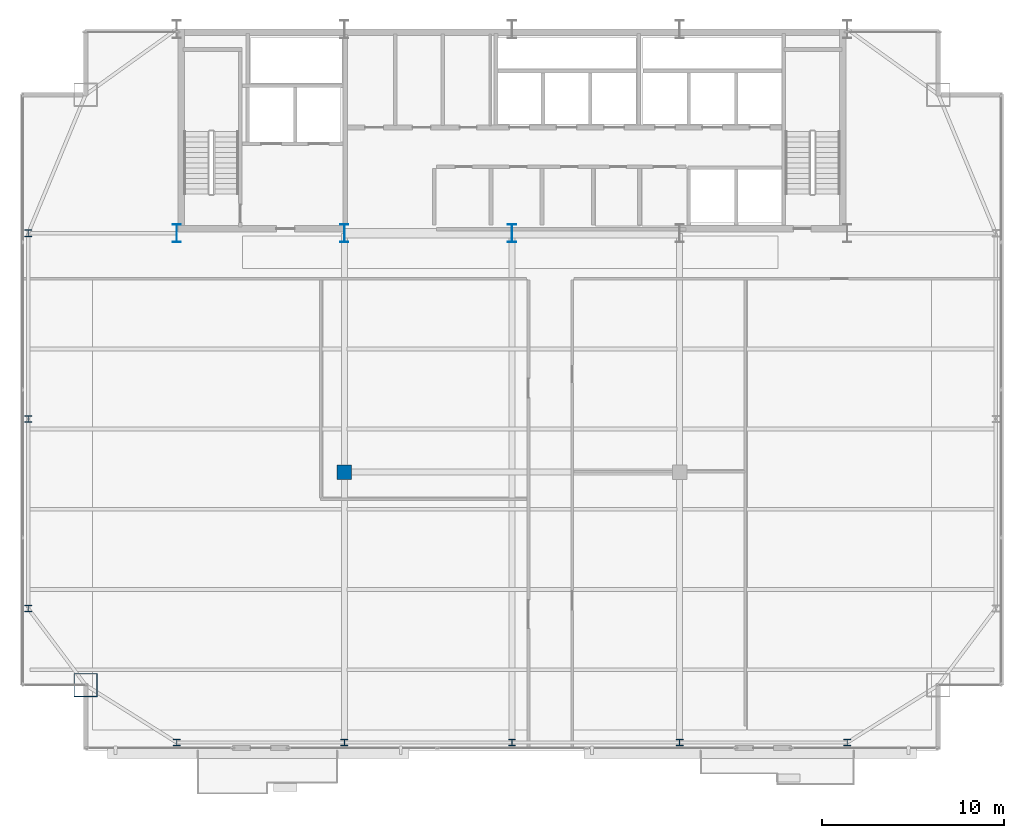
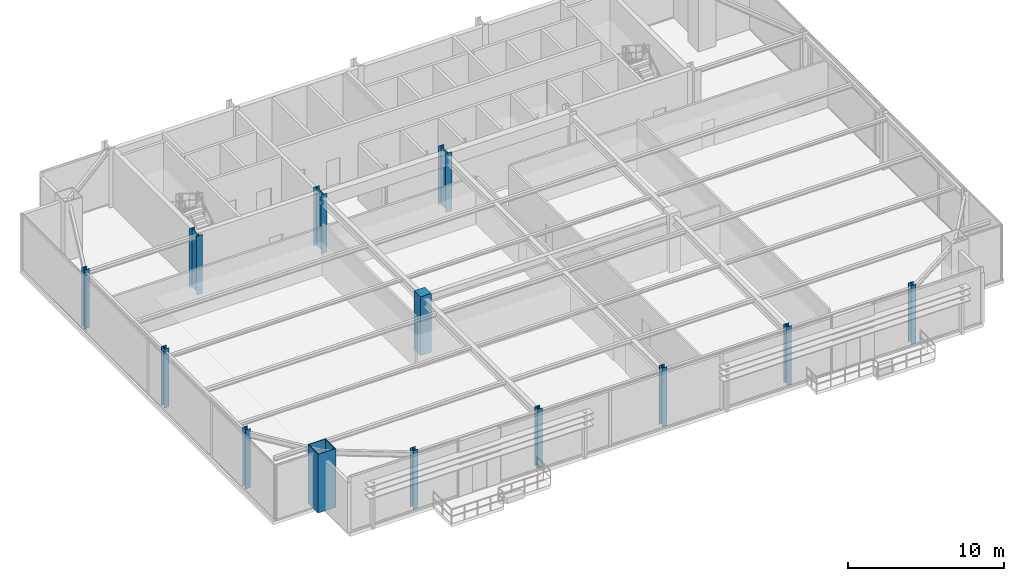
# One storey, part 1 of 25: 13 columns.
"""IFC4 building model written with IfcOpenShell, lengths in metres."""

from ifc_helpers import new_model, si_unit, direction, frame, origin, origin_2d, place, context, subcontext, project, spatial, rectangle, hollow_rectangle, i_section, extrude, source, transform, mapped, material, material_profile, profile_set, type_object, type_shapes, element, save


model = new_model("IFC4")

# Units and contexts
model_context = context("Model", 3, precision=1e-05, world=origin(), true_north=direction((0.0, 1.0)))
body_context = subcontext(model_context, "Body", "Model", "MODEL_VIEW")
ifc_project = project(units=[si_unit("LENGTHUNIT", "METRE"), si_unit("AREAUNIT", "SQUARE_METRE"), si_unit("VOLUMEUNIT", "CUBIC_METRE"), si_unit("PLANEANGLEUNIT", "RADIAN"), si_unit("MASSUNIT", "GRAM", prefix="KILO")], contexts=[model_context])

# Site, building, storey
site_placement = place(None, origin())
site = spatial("IfcSite", under=ifc_project, at=site_placement, CompositionType="ELEMENT")
building_placement = place(site_placement, origin())
building = spatial("IfcBuilding", under=site, at=building_placement, Name="Varnel Quay Broadcast Tower", CompositionType="ELEMENT")
storey_placement = place(building_placement, frame((0.0, 0.0, 191.39990234375)))
storey = spatial("IfcBuildingStorey", under=building, at=storey_placement, Name="L47", CompositionType="ELEMENT", Elevation=191.39990234375)

# Columns
ifc_material_1 = material(Name="Structural Steel CSA G40.21 350WT", Category="steel")
ifc_material_profile_1 = material_profile(ifc_material_1, i_section(OverallWidth=0.449951171875, OverallDepth=1.0, WebThickness=0.01611328125, FlangeThickness=0.030029296875, FilletRadius=0.01611328125, at=origin_2d()), Name="WWF1000X362")
ifc_profile_set_1 = profile_set([ifc_material_profile_1], Name="Structural Steel CSA G40.21 350WT")
column_type_1 = type_object("IfcColumnType", Name="Col_WWF1000X362", PredefinedType="COLUMN", material=ifc_profile_set_1)
shared_shape_1 = source(origin(), body_context, "Body", "SweptSolid", [
    extrude(i_section(OverallWidth=0.449951171875, OverallDepth=1.0, WebThickness=0.01611328125, FlangeThickness=0.030029296875, FilletRadius=0.01611328125, at=origin_2d()), origin(), (0.0, 0.0, 1.0), 4.60009765625),
])
type_shapes(column_type_1, [shared_shape_1])
for number, where, z_axis, x_axis, name in (
    (1, (15.60009765625, 35.60009765625, 0.0), (0.0, 0.0, 1.0), (1.0, 0.0, 0.0), "L47 Column CC-S1"),
    (2, (24.800048828125, 35.60009765625, 0.0), (0.0, 0.0, 1.0), (1.0, 0.0, 0.0), "L47 Column CC-S2"),
    (3, (34.0, 35.60009765625, 0.0), (0.0, 0.0, 1.0), (1.0, 0.0, 0.0), "L47 Column CC-S3"),
):
    element("IfcColumn", number, at=place(storey_placement, frame(where, z_axis=z_axis, x_axis=x_axis)), inside=storey, type_object=column_type_1, Name=name, PredefinedType="COLUMN", context=body_context, shape_type="MappedRepresentation", body=[
        mapped(shared_shape_1, transform((0.0, 0.0, 0.0), x_axis=(1.0, 0.0, 0.0), y_axis=(0.0, 1.0, 0.0), z_axis=(0.0, 0.0, 1.0), scale=1.0)),
    ])
ifc_material_profile_2 = material_profile(ifc_material_1, hollow_rectangle(XDim=1.300048828125, YDim=1.300048828125, WallThickness=0.050048828125, at=origin_2d()), Name="BOX1300X1300X50")
ifc_profile_set_2 = profile_set([ifc_material_profile_2], Name="Structural Steel CSA G40.21 350WT")
column_type_2 = type_object("IfcColumnType", Name="Col_BOX1300X1300X50", PredefinedType="COLUMN", material=ifc_profile_set_2)
shared_shape_2 = source(origin(), body_context, "Body", "SweptSolid", [
    extrude(hollow_rectangle(XDim=1.300048828125, YDim=1.300048828125, WallThickness=0.050048828125, at=origin_2d()), origin(), (0.0, 0.0, 1.0), 4.60009765625),
])
type_shapes(column_type_2, [shared_shape_2])
column_1_placement = place(storey_placement, frame((10.60009765625, 10.800048828125, 0.0), z_axis=(0.0, 0.0, 1.0), x_axis=(1.0, 0.0, 0.0)))
element("IfcColumn", 4, at=column_1_placement, inside=storey, type_object=column_type_2, Name="L47 Column MC-SW", PredefinedType="COLUMN", context=body_context, shape_type="MappedRepresentation", body=[
    mapped(shared_shape_2, transform((0.0, 0.0, 0.0), x_axis=(1.0, 0.0, 0.0), y_axis=(0.0, 1.0, 0.0), z_axis=(0.0, 0.0, 1.0), scale=1.0)),
])
ifc_material_2 = material(Name="Structural Steel CSA G40.21 350W", Category="steel")
ifc_material_profile_3 = material_profile(ifc_material_2, i_section(OverallWidth=0.3740234375, OverallDepth=0.3720703125, WebThickness=0.016357421875, FlangeThickness=0.026123046875, FilletRadius=0.01611328125, at=origin_2d()), Name="W360X196")
ifc_profile_set_3 = profile_set([ifc_material_profile_3], Name="Structural Steel CSA G40.21 350W")
column_type_3 = type_object("IfcColumnType", Name="Col_W360X196", PredefinedType="COLUMN", material=ifc_profile_set_3)
shared_shape_3 = source(origin(), body_context, "Body", "SweptSolid", [
    extrude(i_section(OverallWidth=0.3740234375, OverallDepth=0.3720703125, WebThickness=0.016357421875, FlangeThickness=0.026123046875, FilletRadius=0.01611328125, at=origin_2d()), origin(), (0.0, 0.0, 1.0), 4.60009765625),
])
type_shapes(column_type_3, [shared_shape_3])
for number, where, z_axis, x_axis, name in (
    (5, (15.60009765625, 7.64990234375, 0.0), (0.0, 0.0, 1.0), (1.0, 0.0, 0.0), "L47 Column TC-S1"),
    (6, (24.800048828125, 7.64990234375, 0.0), (0.0, 0.0, 1.0), (1.0, 0.0, 0.0), "L47 Column TC-S2"),
    (7, (34.0, 7.64990234375, 0.0), (0.0, 0.0, 1.0), (1.0, 0.0, 0.0), "L47 Column TC-S3"),
    (8, (43.199951171875, 7.64990234375, 0.0), (0.0, 0.0, 1.0), (1.0, 0.0, 0.0), "L47 Column TC-S4"),
    (9, (52.39990234375, 7.64990234375, 0.0), (0.0, 0.0, 1.0), (1.0, 0.0, 0.0), "L47 Column TC-S5"),
    (10, (7.449951171875, 15.0, 0.0), (0.0, 0.0, 1.0), (1.0, 0.0, 0.0), "L47 Column TC-W1"),
    (11, (7.449951171875, 25.39990234375, 0.0), (0.0, 0.0, 1.0), (1.0, 0.0, 0.0), "L47 Column TC-W2"),
    (12, (7.449951171875, 35.60009765625, 0.0), (0.0, 0.0, 1.0), (1.0, 0.0, 0.0), "L47 Column TC-W3"),
):
    element("IfcColumn", number, at=place(storey_placement, frame(where, z_axis=z_axis, x_axis=x_axis)), inside=storey, type_object=column_type_3, Name=name, PredefinedType="COLUMN", context=body_context, shape_type="MappedRepresentation", body=[
        mapped(shared_shape_3, transform((0.0, 0.0, 0.0), x_axis=(1.0, 0.0, 0.0), y_axis=(0.0, 1.0, 0.0), z_axis=(0.0, 0.0, 1.0), scale=1.0)),
    ])
ifc_material_3 = material(Name="Concrete CSA A23.3 C50/60", Category="concrete")
ifc_material_profile_4 = material_profile(ifc_material_3, rectangle(XDim=0.800048828125, YDim=0.800048828125, at=origin_2d()), Name="RC800X800")
ifc_profile_set_4 = profile_set([ifc_material_profile_4], Name="Concrete CSA A23.3 C50/60")
column_type_4 = type_object("IfcColumnType", Name="Col_RC800X800", PredefinedType="COLUMN", material=ifc_profile_set_4)
shared_shape_4 = source(origin(), body_context, "Body", "SweptSolid", [
    extrude(rectangle(XDim=0.800048828125, YDim=0.800048828125, at=origin_2d()), origin(), (0.0, 0.0, 1.0), 4.60009765625),
])
type_shapes(column_type_4, [shared_shape_4])
column_2_placement = place(storey_placement, frame((24.800048828125, 22.489990234375, 0.0), z_axis=(0.0, 0.0, 1.0), x_axis=(1.0, 0.0, 0.0)))
element("IfcColumn", 13, at=column_2_placement, inside=storey, type_object=column_type_4, Name="L47 Column IC-01", PredefinedType="COLUMN", context=body_context, shape_type="MappedRepresentation", body=[
    mapped(shared_shape_4, transform((0.0, 0.0, 0.0), x_axis=(1.0, 0.0, 0.0), y_axis=(0.0, 1.0, 0.0), z_axis=(0.0, 0.0, 1.0), scale=1.0)),
])

save(model, "model.ifc")
